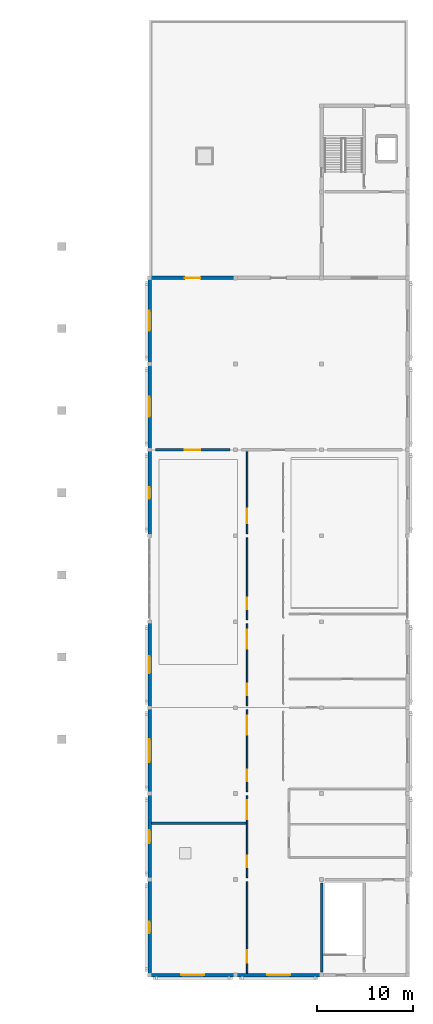
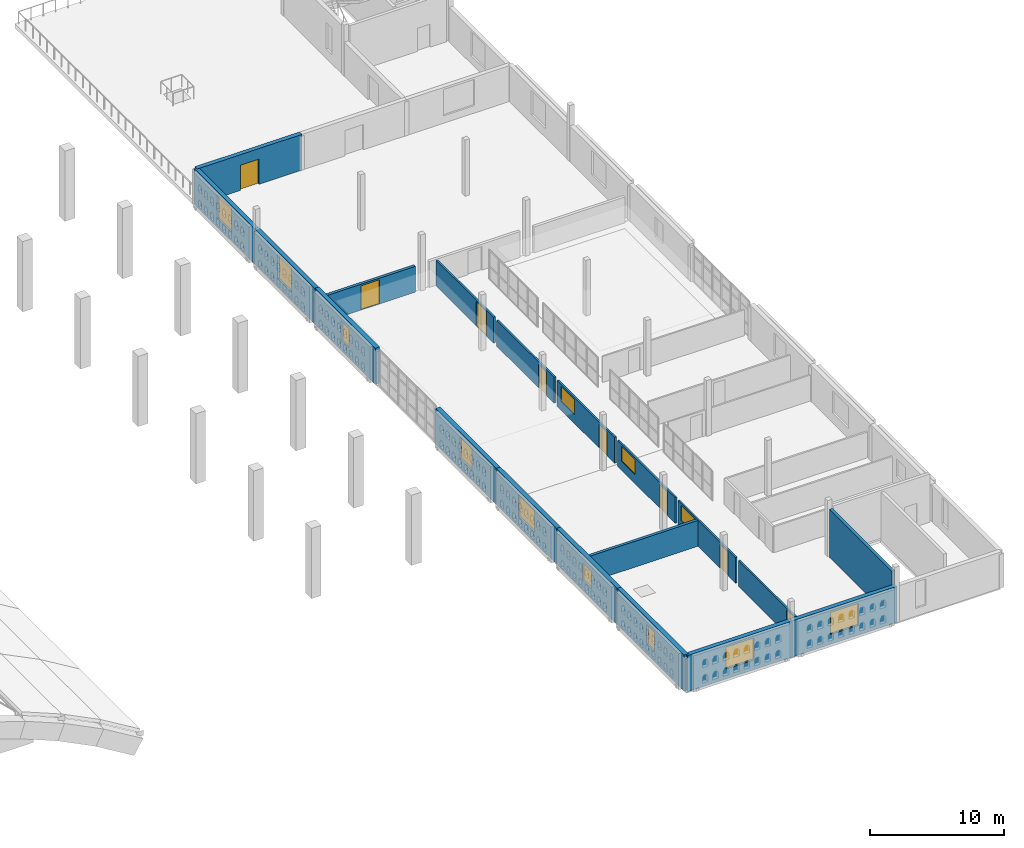
# One storey, part 23 of 30: 19 walls, 12 windows, 8 doors, 20 openings.
"""IFC4 building model written with IfcOpenShell, lengths in metres."""

from ifc_helpers import new_model, si_unit, direction, frame, frame_2d, origin, place, context, subcontext, project, spatial, rectangle, extrude, material, layer, layer_set, type_object, element, fill, save


model = new_model("IFC4")

# Units and contexts
model_context = context("Model", 3, precision=1e-05, world=origin(), true_north=direction((0.0, 1.0)))
body_context = subcontext(model_context, "Body", "Model", "MODEL_VIEW")
ifc_project = project(units=[si_unit("LENGTHUNIT", "METRE"), si_unit("AREAUNIT", "SQUARE_METRE"), si_unit("VOLUMEUNIT", "CUBIC_METRE"), si_unit("PLANEANGLEUNIT", "RADIAN"), si_unit("MASSUNIT", "GRAM", prefix="KILO")], contexts=[model_context])

# Site, building, storey
site_placement = place(None, origin())
site = spatial("IfcSite", under=ifc_project, at=site_placement, CompositionType="ELEMENT")
building_placement = place(site_placement, origin())
building = spatial("IfcBuilding", under=site, at=building_placement, Name="Ornek Quay Market", CompositionType="ELEMENT")
storey_placement = place(building_placement, frame((0.0, 0.0, 12.0)))
storey = spatial("IfcBuildingStorey", under=building, at=storey_placement, Name="L03", CompositionType="ELEMENT", Elevation=12.0)

# Wall
ifc_material_1 = material(Name="Concrete C40/50", Category="concrete")
ifc_layer_1 = layer(ifc_material_1, 0.260009765625, Name="Concrete C40/50", Category="concrete")
ifc_layer_set_1 = layer_set([ifc_layer_1], Name="Concrete C40/50")
wall_type_1 = type_object("IfcWallType", Name="WL-CORE-260", PredefinedType="SHEAR", material=ifc_layer_set_1)
wall_1_placement = place(storey_placement, frame((171.0, 10.35009765625, 0.0), z_axis=(0.0, 0.0, 1.0), x_axis=(0.0, 1.0, 0.0)))
element("IfcWall", 1, at=wall_1_placement, inside=storey, type_object=wall_type_1, Name="Interior wall W-CORE2-167", PredefinedType="SHEAR", context=body_context, shape_type="SweptSolid", body=[
    extrude(rectangle(XDim=9.2998046875, YDim=0.260009765625, at=frame_2d((4.64990234375, 0.0))), origin(), (0.0, 0.0, 1.0), 4.3701171875),
])

# Wall, opening, window
ifc_material_2 = material(Name="Frost-resistant facing clay brick M200 F100", Category="masonry")
ifc_layer_2 = layer(ifc_material_2, 0.3701171875, Name="Frost-resistant facing clay brick M200 F100", Category="masonry")
ifc_layer_set_2 = layer_set([ifc_layer_2], Name="Frost-resistant facing clay brick M200 F100")
wall_type_2 = type_object("IfcWallType", Name="WL-EXT-CS-370", PredefinedType="STANDARD", material=ifc_layer_set_2)
wall_2_placement = place(storey_placement, frame((153.0, 10.0, 0.0), z_axis=(0.0, 0.0, 1.0), x_axis=(0.0, 1.0, 0.0)))
wall_2 = element("IfcWall", 2, at=wall_2_placement, inside=storey, type_object=wall_type_2, Name="Exterior wall EW-227", PredefinedType="STANDARD", context=body_context, shape_type="SweptSolid", body=[
    extrude(rectangle(XDim=10.0, YDim=0.3701171875, at=frame_2d((5.0, 0.0))), origin(), (0.0, 0.0, 1.0), 3.280029296875),
])
opening_1_placement = place(wall_2_placement, frame((4.39990234375, 0.0, 0.89990234375)))
opening_1 = element("IfcOpeningElement", 3, at=opening_1_placement, cuts=wall_2, Name="Opening W-11-190", PredefinedType="OPENING", context=body_context, shape_type="SweptSolid", body=[
    extrude(rectangle(XDim=1.199951171875, YDim=1.800048828125, at=frame_2d((0.60009765625, 0.89990234375))), frame((0.0, 0.195068359375, 0.0), z_axis=(0.0, -1.0, 0.0), x_axis=(1.0, 0.0, 0.0)), (0.0, 0.0, 1.0), 0.39013671875),
])
ifc_material_3 = material(Name="Thermally broken bronze aluminium and triple low-e glass", Category="aluminium")
window_type_1 = type_object("IfcWindowType", Name="WN-CS-1200x1800", PartitioningType="SINGLE_PANEL", PredefinedType="WINDOW", material=ifc_material_3)
window_1_placement = place(opening_1_placement, origin())
window_1 = element("IfcWindow", 4, at=window_1_placement, inside=storey, type_object=window_type_1, Name="Window W-11-190", OverallHeight=1.800048828125, OverallWidth=1.199951171875, PartitioningType="SINGLE_PANEL", PredefinedType="WINDOW", context=body_context, shape_type="SweptSolid", body=[
    extrude(rectangle(XDim=1.199951171875, YDim=1.800048828125, at=frame_2d((0.60009765625, 0.89990234375))), frame((0.0, 0.030029296875, 0.0), z_axis=(0.0, -1.0, 0.0), x_axis=(1.0, 0.0, 0.0)), (0.0, 0.0, 1.0), 0.06005859375),
])
fill(opening_1, window_1)

wall_3_placement = place(storey_placement, frame((153.0, 20.0, 0.0), z_axis=(0.0, 0.0, 1.0), x_axis=(0.0, 1.0, 0.0)))
wall_3 = element("IfcWall", 5, at=wall_3_placement, inside=storey, type_object=wall_type_2, Name="Exterior wall EW-228", PredefinedType="STANDARD", context=body_context, shape_type="SweptSolid", body=[
    extrude(rectangle(XDim=9.0, YDim=0.3701171875, at=frame_2d((4.5, 0.0))), origin(), (0.0, 0.0, 1.0), 3.280029296875),
])
opening_2_placement = place(wall_3_placement, frame((3.824951171875, 0.0, 0.89990234375)))
opening_2 = element("IfcOpeningElement", 6, at=opening_2_placement, cuts=wall_3, Name="Opening W-16-191", PredefinedType="OPENING", context=body_context, shape_type="SweptSolid", body=[
    extrude(rectangle(XDim=1.35009765625, YDim=1.60009765625, at=frame_2d((0.675048828125, 0.800048828125))), frame((0.0, 0.195068359375, 0.0), z_axis=(0.0, -1.0, 0.0), x_axis=(1.0, 0.0, 0.0)), (0.0, 0.0, 1.0), 0.39013671875),
])
window_type_2 = type_object("IfcWindowType", Name="WN-OFF-1350x1600", PartitioningType="SINGLE_PANEL", PredefinedType="WINDOW", material=ifc_material_3)
window_2_placement = place(opening_2_placement, origin())
window_2 = element("IfcWindow", 7, at=window_2_placement, inside=storey, type_object=window_type_2, Name="Window W-16-191", OverallHeight=1.60009765625, OverallWidth=1.35009765625, PartitioningType="SINGLE_PANEL", PredefinedType="WINDOW", context=body_context, shape_type="SweptSolid", body=[
    extrude(rectangle(XDim=1.35009765625, YDim=1.60009765625, at=frame_2d((0.675048828125, 0.800048828125))), frame((0.0, 0.030029296875, 0.0), z_axis=(0.0, -1.0, 0.0), x_axis=(1.0, 0.0, 0.0)), (0.0, 0.0, 1.0), 0.06005859375),
])
fill(opening_2, window_2)

wall_4_placement = place(storey_placement, frame((153.0, 29.0, 0.0), z_axis=(0.0, 0.0, 1.0), x_axis=(0.0, 1.0, 0.0)))
wall_4 = element("IfcWall", 8, at=wall_4_placement, inside=storey, type_object=wall_type_2, Name="Exterior wall EW-229", PredefinedType="STANDARD", context=body_context, shape_type="SweptSolid", body=[
    extrude(rectangle(XDim=9.0, YDim=0.3701171875, at=frame_2d((4.5, 0.0))), origin(), (0.0, 0.0, 1.0), 3.280029296875),
])
opening_3_placement = place(wall_4_placement, frame((3.300048828125, 0.0, 0.89990234375)))
opening_3 = element("IfcOpeningElement", 9, at=opening_3_placement, cuts=wall_4, Name="Opening W-08-192", PredefinedType="OPENING", context=body_context, shape_type="SweptSolid", body=[
    extrude(rectangle(XDim=2.39990234375, YDim=2.0, at=frame_2d((1.199951171875, 1.0))), frame((0.0, 0.195068359375, 0.0), z_axis=(0.0, -1.0, 0.0), x_axis=(1.0, 0.0, 0.0)), (0.0, 0.0, 1.0), 0.39013671875),
])
window_type_3 = type_object("IfcWindowType", Name="WN-CS-2400x2000", PartitioningType="DOUBLE_PANEL_VERTICAL", PredefinedType="WINDOW", material=ifc_material_3)
window_3_placement = place(opening_3_placement, origin())
window_3 = element("IfcWindow", 10, at=window_3_placement, inside=storey, type_object=window_type_3, Name="Window W-08-192", OverallHeight=2.0, OverallWidth=2.39990234375, PartitioningType="SINGLE_PANEL", PredefinedType="WINDOW", context=body_context, shape_type="SweptSolid", body=[
    extrude(rectangle(XDim=2.39990234375, YDim=2.0, at=frame_2d((1.199951171875, 1.0))), frame((0.0, 0.030029296875, 0.0), z_axis=(0.0, -1.0, 0.0), x_axis=(1.0, 0.0, 0.0)), (0.0, 0.0, 1.0), 0.06005859375),
])
fill(opening_3, window_3)

wall_5_placement = place(storey_placement, frame((153.0, 38.0, 0.0), z_axis=(0.0, 0.0, 1.0), x_axis=(0.0, 1.0, 0.0)))
wall_5 = element("IfcWall", 11, at=wall_5_placement, inside=storey, type_object=wall_type_2, Name="Exterior wall EW-230", PredefinedType="STANDARD", context=body_context, shape_type="SweptSolid", body=[
    extrude(rectangle(XDim=9.0, YDim=0.3701171875, at=frame_2d((4.5, 0.0))), origin(), (0.0, 0.0, 1.0), 3.280029296875),
])
opening_4_placement = place(wall_5_placement, frame((3.60009765625, 0.0, 0.89990234375)))
opening_4 = element("IfcOpeningElement", 12, at=opening_4_placement, cuts=wall_5, Name="Opening W-09-193", PredefinedType="OPENING", context=body_context, shape_type="SweptSolid", body=[
    extrude(rectangle(XDim=1.800048828125, YDim=2.0, at=frame_2d((0.89990234375, 1.0))), frame((0.0, 0.195068359375, 0.0), z_axis=(0.0, -1.0, 0.0), x_axis=(1.0, 0.0, 0.0)), (0.0, 0.0, 1.0), 0.39013671875),
])
window_type_4 = type_object("IfcWindowType", Name="WN-CS-1800x2000", PartitioningType="DOUBLE_PANEL_VERTICAL", PredefinedType="WINDOW", material=ifc_material_3)
window_4_placement = place(opening_4_placement, origin())
window_4 = element("IfcWindow", 13, at=window_4_placement, inside=storey, type_object=window_type_4, Name="Window W-09-193", OverallHeight=2.0, OverallWidth=1.800048828125, PartitioningType="SINGLE_PANEL", PredefinedType="WINDOW", context=body_context, shape_type="SweptSolid", body=[
    extrude(rectangle(XDim=1.800048828125, YDim=2.0, at=frame_2d((0.89990234375, 1.0))), frame((0.0, 0.030029296875, 0.0), z_axis=(0.0, -1.0, 0.0), x_axis=(1.0, 0.0, 0.0)), (0.0, 0.0, 1.0), 0.06005859375),
])
fill(opening_4, window_4)

wall_6_placement = place(storey_placement, frame((153.0, 56.0, 0.0), z_axis=(0.0, 0.0, 1.0), x_axis=(0.0, 1.0, 0.0)))
wall_6 = element("IfcWall", 14, at=wall_6_placement, inside=storey, type_object=wall_type_2, Name="Exterior wall EW-231", PredefinedType="STANDARD", context=body_context, shape_type="SweptSolid", body=[
    extrude(rectangle(XDim=9.0, YDim=0.3701171875, at=frame_2d((4.5, 0.0))), origin(), (0.0, 0.0, 1.0), 3.280029296875),
])
opening_5_placement = place(wall_6_placement, frame((3.89990234375, 0.0, 0.89990234375)))
opening_5 = element("IfcOpeningElement", 15, at=opening_5_placement, cuts=wall_6, Name="Opening W-11-194", PredefinedType="OPENING", context=body_context, shape_type="SweptSolid", body=[
    extrude(rectangle(XDim=1.199951171875, YDim=1.800048828125, at=frame_2d((0.60009765625, 0.89990234375))), frame((0.0, 0.195068359375, 0.0), z_axis=(0.0, -1.0, 0.0), x_axis=(1.0, 0.0, 0.0)), (0.0, 0.0, 1.0), 0.39013671875),
])
window_5_placement = place(opening_5_placement, origin())
window_5 = element("IfcWindow", 16, at=window_5_placement, inside=storey, type_object=window_type_1, Name="Window W-11-194", OverallHeight=1.800048828125, OverallWidth=1.199951171875, PartitioningType="SINGLE_PANEL", PredefinedType="WINDOW", context=body_context, shape_type="SweptSolid", body=[
    extrude(rectangle(XDim=1.199951171875, YDim=1.800048828125, at=frame_2d((0.60009765625, 0.89990234375))), frame((0.0, 0.030029296875, 0.0), z_axis=(0.0, -1.0, 0.0), x_axis=(1.0, 0.0, 0.0)), (0.0, 0.0, 1.0), 0.06005859375),
])
fill(opening_5, window_5)

wall_7_placement = place(storey_placement, frame((153.0, 10.0, 0.0), z_axis=(0.0, 0.0, 1.0), x_axis=(1.0, 0.0, 0.0)))
wall_7 = element("IfcWall", 17, at=wall_7_placement, inside=storey, type_object=wall_type_2, Name="Exterior wall EW-237", PredefinedType="STANDARD", context=body_context, shape_type="SweptSolid", body=[
    extrude(rectangle(XDim=9.0, YDim=0.3701171875, at=frame_2d((4.5, 0.0))), origin(), (0.0, 0.0, 1.0), 3.280029296875),
])
opening_6_placement = place(wall_7_placement, frame((3.300048828125, 0.0, 0.89990234375)))
opening_6 = element("IfcOpeningElement", 18, at=opening_6_placement, cuts=wall_7, Name="Opening W-08-200", PredefinedType="OPENING", context=body_context, shape_type="SweptSolid", body=[
    extrude(rectangle(XDim=2.39990234375, YDim=2.0, at=frame_2d((1.199951171875, 1.0))), frame((0.0, 0.195068359375, 0.0), z_axis=(0.0, -1.0, 0.0), x_axis=(1.0, 0.0, 0.0)), (0.0, 0.0, 1.0), 0.39013671875),
])
window_6_placement = place(opening_6_placement, origin())
window_6 = element("IfcWindow", 19, at=window_6_placement, inside=storey, type_object=window_type_3, Name="Window W-08-200", OverallHeight=2.0, OverallWidth=2.39990234375, PartitioningType="SINGLE_PANEL", PredefinedType="WINDOW", context=body_context, shape_type="SweptSolid", body=[
    extrude(rectangle(XDim=2.39990234375, YDim=2.0, at=frame_2d((1.199951171875, 1.0))), frame((0.0, 0.030029296875, 0.0), z_axis=(0.0, -1.0, 0.0), x_axis=(1.0, 0.0, 0.0)), (0.0, 0.0, 1.0), 0.06005859375),
])
fill(opening_6, window_6)

wall_8_placement = place(storey_placement, frame((162.0, 10.0, 0.0), z_axis=(0.0, 0.0, 1.0), x_axis=(1.0, 0.0, 0.0)))
wall_8 = element("IfcWall", 20, at=wall_8_placement, inside=storey, type_object=wall_type_2, Name="Exterior wall EW-238", PredefinedType="STANDARD", context=body_context, shape_type="SweptSolid", body=[
    extrude(rectangle(XDim=9.0, YDim=0.3701171875, at=frame_2d((4.5, 0.0))), origin(), (0.0, 0.0, 1.0), 3.280029296875),
])
opening_7_placement = place(wall_8_placement, frame((3.300048828125, 0.0, 0.89990234375)))
opening_7 = element("IfcOpeningElement", 21, at=opening_7_placement, cuts=wall_8, Name="Opening W-08-201", PredefinedType="OPENING", context=body_context, shape_type="SweptSolid", body=[
    extrude(rectangle(XDim=2.39990234375, YDim=2.0, at=frame_2d((1.199951171875, 1.0))), frame((0.0, 0.195068359375, 0.0), z_axis=(0.0, -1.0, 0.0), x_axis=(1.0, 0.0, 0.0)), (0.0, 0.0, 1.0), 0.39013671875),
])
window_7_placement = place(opening_7_placement, origin())
window_7 = element("IfcWindow", 22, at=window_7_placement, inside=storey, type_object=window_type_3, Name="Window W-08-201", OverallHeight=2.0, OverallWidth=2.39990234375, PartitioningType="SINGLE_PANEL", PredefinedType="WINDOW", context=body_context, shape_type="SweptSolid", body=[
    extrude(rectangle(XDim=2.39990234375, YDim=2.0, at=frame_2d((1.199951171875, 1.0))), frame((0.0, 0.030029296875, 0.0), z_axis=(0.0, -1.0, 0.0), x_axis=(1.0, 0.0, 0.0)), (0.0, 0.0, 1.0), 0.06005859375),
])
fill(opening_7, window_7)

# Wall, opening, door
ifc_layer_3 = layer(ifc_material_2, 0.360107421875, Name="Frost-resistant facing clay brick M200 F100", Category="masonry")
ifc_layer_set_3 = layer_set([ifc_layer_3], Name="Frost-resistant facing clay brick M200 F100")
wall_type_3 = type_object("IfcWallType", Name="WL-EXT-FC-360", PredefinedType="STANDARD", material=ifc_layer_set_3)
wall_9_placement = place(storey_placement, frame((153.0, 83.0, 0.0), z_axis=(0.0, 0.0, 1.0), x_axis=(1.0, 0.0, 0.0)))
wall_9 = element("IfcWall", 23, at=wall_9_placement, inside=storey, type_object=wall_type_3, Name="Exterior wall EW-170", PredefinedType="STANDARD", context=body_context, shape_type="SweptSolid", body=[
    extrude(rectangle(XDim=9.0, YDim=0.360107421875, at=frame_2d((4.5, 0.0))), origin(), (0.0, 0.0, 1.0), 3.25),
])
opening_8_placement = place(wall_9_placement, frame((3.699951171875, 0.0, 0.0)))
opening_8 = element("IfcOpeningElement", 24, at=opening_8_placement, cuts=wall_9, Name="Opening ED-04-040", PredefinedType="OPENING", context=body_context, shape_type="SweptSolid", body=[
    extrude(rectangle(XDim=1.60009765625, YDim=2.300048828125, at=frame_2d((0.800048828125, 1.14990234375))), frame((0.0, 0.18994140625, 0.0), z_axis=(0.0, -1.0, 0.0), x_axis=(1.0, 0.0, 0.0)), (0.0, 0.0, 1.0), 0.380126953125),
])
ifc_material_4 = material(Name="Anodised bronze aluminium and triple glass", Category="aluminium")
door_type_1 = type_object("IfcDoorType", Name="DR-EXT-TER-1600x2300", OperationType="DOUBLE_DOOR_SINGLE_SWING", PredefinedType="DOOR", material=ifc_material_4)
door_1_placement = place(opening_8_placement, origin())
door_1 = element("IfcDoor", 25, at=door_1_placement, inside=storey, type_object=door_type_1, Name="Exterior door ED-04-040", OperationType="DOUBLE_DOOR_SINGLE_SWING", OverallHeight=2.300048828125, OverallWidth=1.60009765625, PredefinedType="DOOR", context=body_context, shape_type="SweptSolid", body=[
    extrude(rectangle(XDim=1.60009765625, YDim=2.300048828125, at=frame_2d((0.800048828125, 1.14990234375))), frame((0.0, 0.02490234375, 0.0), z_axis=(0.0, -1.0, 0.0), x_axis=(1.0, 0.0, 0.0)), (0.0, 0.0, 1.0), 0.050048828125),
])
fill(opening_8, door_1)

# Wall, opening, window
wall_10_placement = place(storey_placement, frame((153.0, 65.0, 0.0), z_axis=(0.0, 0.0, 1.0), x_axis=(0.0, 1.0, 0.0)))
wall_10 = element("IfcWall", 26, at=wall_10_placement, inside=storey, type_object=wall_type_3, Name="Exterior wall EW-173", PredefinedType="STANDARD", context=body_context, shape_type="SweptSolid", body=[
    extrude(rectangle(XDim=9.0, YDim=0.360107421875, at=frame_2d((4.5, 0.0))), origin(), (0.0, 0.0, 1.0), 3.25),
])
opening_9_placement = place(wall_10_placement, frame((3.449951171875, 0.0, 0.800048828125)))
opening_9 = element("IfcOpeningElement", 27, at=opening_9_placement, cuts=wall_10, Name="Opening W-06-143", PredefinedType="OPENING", context=body_context, shape_type="SweptSolid", body=[
    extrude(rectangle(XDim=2.10009765625, YDim=2.199951171875, at=frame_2d((1.050048828125, 1.10009765625))), frame((0.0, 0.18994140625, 0.0), z_axis=(0.0, -1.0, 0.0), x_axis=(1.0, 0.0, 0.0)), (0.0, 0.0, 1.0), 0.380126953125),
])
window_type_5 = type_object("IfcWindowType", Name="WN-FC-2100x2200", PartitioningType="DOUBLE_PANEL_VERTICAL", PredefinedType="WINDOW", material=ifc_material_3)
window_8_placement = place(opening_9_placement, origin())
window_8 = element("IfcWindow", 28, at=window_8_placement, inside=storey, type_object=window_type_5, Name="Window W-06-143", OverallHeight=2.199951171875, OverallWidth=2.10009765625, PartitioningType="SINGLE_PANEL", PredefinedType="WINDOW", context=body_context, shape_type="SweptSolid", body=[
    extrude(rectangle(XDim=2.10009765625, YDim=2.199951171875, at=frame_2d((1.050048828125, 1.10009765625))), frame((0.0, 0.030029296875, 0.0), z_axis=(0.0, -1.0, 0.0), x_axis=(1.0, 0.0, 0.0)), (0.0, 0.0, 1.0), 0.06005859375),
])
fill(opening_9, window_8)

wall_11_placement = place(storey_placement, frame((153.0, 74.0, 0.0), z_axis=(0.0, 0.0, 1.0), x_axis=(0.0, 1.0, 0.0)))
wall_11 = element("IfcWall", 29, at=wall_11_placement, inside=storey, type_object=wall_type_3, Name="Exterior wall EW-175", PredefinedType="STANDARD", context=body_context, shape_type="SweptSolid", body=[
    extrude(rectangle(XDim=9.0, YDim=0.360107421875, at=frame_2d((4.5, 0.0))), origin(), (0.0, 0.0, 1.0), 3.25),
])
opening_10_placement = place(wall_11_placement, frame((3.449951171875, 0.0, 0.800048828125)))
opening_10 = element("IfcOpeningElement", 30, at=opening_10_placement, cuts=wall_11, Name="Opening W-06-145", PredefinedType="OPENING", context=body_context, shape_type="SweptSolid", body=[
    extrude(rectangle(XDim=2.10009765625, YDim=2.199951171875, at=frame_2d((1.050048828125, 1.10009765625))), frame((0.0, 0.18994140625, 0.0), z_axis=(0.0, -1.0, 0.0), x_axis=(1.0, 0.0, 0.0)), (0.0, 0.0, 1.0), 0.380126953125),
])
window_9_placement = place(opening_10_placement, origin())
window_9 = element("IfcWindow", 31, at=window_9_placement, inside=storey, type_object=window_type_5, Name="Window W-06-145", OverallHeight=2.199951171875, OverallWidth=2.10009765625, PartitioningType="SINGLE_PANEL", PredefinedType="WINDOW", context=body_context, shape_type="SweptSolid", body=[
    extrude(rectangle(XDim=2.10009765625, YDim=2.199951171875, at=frame_2d((1.050048828125, 1.10009765625))), frame((0.0, 0.030029296875, 0.0), z_axis=(0.0, -1.0, 0.0), x_axis=(1.0, 0.0, 0.0)), (0.0, 0.0, 1.0), 0.06005859375),
])
fill(opening_10, window_9)

# Wall, opening, door
ifc_material_5 = material(Name="Concrete C35/45", Category="concrete")
ifc_layer_4 = layer(ifc_material_5, 0.239990234375, Name="Concrete C35/45", Category="concrete")
ifc_layer_set_4 = layer_set([ifc_layer_4], Name="Concrete C35/45")
wall_type_4 = type_object("IfcWallType", Name="WL-FIRE-240", PredefinedType="SOLIDWALL", material=ifc_layer_set_4)
wall_12_placement = place(storey_placement, frame((153.60009765625, 65.0, 0.0), z_axis=(0.0, 0.0, 1.0), x_axis=(1.0, 0.0, 0.0)))
wall_12 = element("IfcWall", 32, at=wall_12_placement, inside=storey, type_object=wall_type_4, Name="Interior wall W-FIRE2-342", PredefinedType="SOLIDWALL", context=body_context, shape_type="SweptSolid", body=[
    extrude(rectangle(XDim=7.7998046875, YDim=0.239990234375, at=frame_2d((3.89990234375, 0.0))), origin(), (0.0, 0.0, 1.0), 2.35009765625),
])
opening_11_placement = place(wall_12_placement, frame((3.10009765625, 0.0, 0.0)))
opening_11 = element("IfcOpeningElement", 33, at=opening_11_placement, cuts=wall_12, Name="Opening FD-02-166", PredefinedType="OPENING", context=body_context, shape_type="SweptSolid", body=[
    extrude(rectangle(XDim=1.60009765625, YDim=2.199951171875, at=frame_2d((0.800048828125, 1.10009765625))), frame((0.0, 0.1298828125, 0.0), z_axis=(0.0, -1.0, 0.0), x_axis=(1.0, 0.0, 0.0)), (0.0, 0.0, 1.0), 0.260009765625),
])
ifc_material_6 = material(Name="Insulated fire-rated painted steel", Category="steel")
door_type_2 = type_object("IfcDoorType", Name="DR-FIRE-DBL-1600x2200", OperationType="DOUBLE_DOOR_SINGLE_SWING", PredefinedType="DOOR", material=ifc_material_6)
door_2_placement = place(opening_11_placement, origin())
door_2 = element("IfcDoor", 34, at=door_2_placement, inside=storey, type_object=door_type_2, Name="Interior door FD-02-166", OperationType="DOUBLE_DOOR_SINGLE_SWING", OverallHeight=2.199951171875, OverallWidth=1.60009765625, PredefinedType="DOOR", context=body_context, shape_type="SweptSolid", body=[
    extrude(rectangle(XDim=1.60009765625, YDim=2.199951171875, at=frame_2d((0.800048828125, 1.10009765625))), frame((0.0, 0.02490234375, 0.0), z_axis=(0.0, -1.0, 0.0), x_axis=(1.0, 0.0, 0.0)), (0.0, 0.0, 1.0), 0.050048828125),
])
fill(opening_11, door_2)

# Wall
wall_13_placement = place(storey_placement, frame((153.199951171875, 25.89990234375, 0.0), z_axis=(0.0, 0.0, 1.0), x_axis=(1.0, 0.0, 0.0)))
element("IfcWall", 35, at=wall_13_placement, inside=storey, type_object=wall_type_4, Name="Interior wall W-FIRE2-399", PredefinedType="SOLIDWALL", context=body_context, shape_type="SweptSolid", body=[
    extrude(rectangle(XDim=10.0, YDim=0.239990234375, at=frame_2d((5.0, 0.0))), origin(), (0.0, 0.0, 1.0), 2.35009765625),
])

# Wall, openings, door, window
ifc_material_7 = material(Name="Ceramic-tiled masonry partition", Category="masonry")
ifc_layer_5 = layer(ifc_material_7, 0.159912109375, Name="Ceramic-tiled masonry partition", Category="masonry")
ifc_layer_set_5 = layer_set([ifc_layer_5], Name="Ceramic-tiled masonry partition")
wall_type_5 = type_object("IfcWallType", Name="WL-KIT-160", PredefinedType="PARTITIONING", material=ifc_layer_set_5)
wall_14_placement = place(storey_placement, frame((163.199951171875, 38.219970703125, 0.0), z_axis=(0.0, 0.0, 1.0), x_axis=(0.0, 1.0, 0.0)))
wall_14 = element("IfcWall", 36, at=wall_14_placement, inside=storey, type_object=wall_type_5, Name="Interior wall W-INT2-348", PredefinedType="PARTITIONING", context=body_context, shape_type="SweptSolid", body=[
    extrude(rectangle(XDim=8.56005859375, YDim=0.159912109375, at=frame_2d((4.280029296875, 0.0))), origin(), (0.0, 0.0, 1.0), 2.35009765625),
])
opening_12_placement = place(wall_14_placement, frame((1.10009765625, 0.0, 0.0)))
opening_12 = element("IfcOpeningElement", 37, at=opening_12_placement, cuts=wall_14, Name="Opening ID-02-171", PredefinedType="OPENING", context=body_context, shape_type="SweptSolid", body=[
    extrude(rectangle(XDim=1.199951171875, YDim=2.14990234375, at=frame_2d((0.60009765625, 1.074951171875))), frame((0.0, 0.08984375, 0.0), z_axis=(0.0, -1.0, 0.0), x_axis=(1.0, 0.0, 0.0)), (0.0, 0.0, 1.0), 0.179931640625),
])
opening_13_placement = place(wall_14_placement, frame((5.9599609375, 0.0, 0.820068359375)))
opening_13 = element("IfcOpeningElement", 38, at=opening_13_placement, cuts=wall_14, Name="Opening W-19-L03-38", PredefinedType="OPENING", context=body_context, shape_type="SweptSolid", body=[
    extrude(rectangle(XDim=2.0, YDim=1.35009765625, at=frame_2d((1.0, 0.675048828125))), frame((0.0, 0.08984375, 0.0), z_axis=(0.0, -1.0, 0.0), x_axis=(1.0, 0.0, 0.0)), (0.0, 0.0, 1.0), 0.179931640625),
])
ifc_material_8 = material(Name="Acoustic solid oak door", Category="other")
door_type_3 = type_object("IfcDoorType", Name="DR-INT-STUDIO-1200x2150", OperationType="NOTDEFINED", PredefinedType="DOOR", material=ifc_material_8)
door_3_placement = place(opening_12_placement, origin())
door_3 = element("IfcDoor", 39, at=door_3_placement, inside=storey, type_object=door_type_3, Name="Interior door ID-02-171", OperationType="SINGLE_SWING_RIGHT", OverallHeight=2.14990234375, OverallWidth=1.199951171875, PredefinedType="DOOR", context=body_context, shape_type="SweptSolid", body=[
    extrude(rectangle(XDim=1.199951171875, YDim=2.14990234375, at=frame_2d((0.60009765625, 1.074951171875))), frame((0.0, 0.02490234375, 0.0), z_axis=(0.0, -1.0, 0.0), x_axis=(1.0, 0.0, 0.0)), (0.0, 0.0, 1.0), 0.050048828125),
])
fill(opening_12, door_3)
window_type_6 = type_object("IfcWindowType", Name="WN-INT-2000x1500", PartitioningType="DOUBLE_PANEL_VERTICAL", PredefinedType="WINDOW", material=ifc_material_3)
window_10_placement = place(opening_13_placement, origin())
window_10 = element("IfcWindow", 40, at=window_10_placement, inside=storey, type_object=window_type_6, Name="Teaching kitchen observation window L03-38", OverallHeight=1.35009765625, OverallWidth=2.0, PartitioningType="SINGLE_PANEL", PredefinedType="WINDOW", context=body_context, shape_type="SweptSolid", body=[
    extrude(rectangle(XDim=2.0, YDim=1.35009765625, at=frame_2d((1.0, 0.675048828125))), frame((0.0, 0.030029296875, 0.0), z_axis=(0.0, -1.0, 0.0), x_axis=(1.0, 0.0, 0.0)), (0.0, 0.0, 1.0), 0.06005859375),
])
fill(opening_13, window_10)

# Wall, opening, door
wall_15_placement = place(storey_placement, frame((163.199951171875, 47.219970703125, 0.0), z_axis=(0.0, 0.0, 1.0), x_axis=(0.0, 1.0, 0.0)))
wall_15 = element("IfcWall", 41, at=wall_15_placement, inside=storey, type_object=wall_type_5, Name="Interior wall W-INT2-349", PredefinedType="PARTITIONING", context=body_context, shape_type="SweptSolid", body=[
    extrude(rectangle(XDim=8.56005859375, YDim=0.159912109375, at=frame_2d((4.280029296875, 0.0))), origin(), (0.0, 0.0, 1.0), 2.35009765625),
])
opening_14_placement = place(wall_15_placement, frame((1.10009765625, 0.0, 0.0)))
opening_14 = element("IfcOpeningElement", 42, at=opening_14_placement, cuts=wall_15, Name="Opening ID-02-172", PredefinedType="OPENING", context=body_context, shape_type="SweptSolid", body=[
    extrude(rectangle(XDim=1.199951171875, YDim=2.14990234375, at=frame_2d((0.60009765625, 1.074951171875))), frame((0.0, 0.08984375, 0.0), z_axis=(0.0, -1.0, 0.0), x_axis=(1.0, 0.0, 0.0)), (0.0, 0.0, 1.0), 0.179931640625),
])
door_4_placement = place(opening_14_placement, origin())
door_4 = element("IfcDoor", 43, at=door_4_placement, inside=storey, type_object=door_type_3, Name="Interior door ID-02-172", OperationType="SINGLE_SWING_LEFT", OverallHeight=2.14990234375, OverallWidth=1.199951171875, PredefinedType="DOOR", context=body_context, shape_type="SweptSolid", body=[
    extrude(rectangle(XDim=1.199951171875, YDim=2.14990234375, at=frame_2d((0.60009765625, 1.074951171875))), frame((0.0, 0.02490234375, 0.0), z_axis=(0.0, -1.0, 0.0), x_axis=(1.0, 0.0, 0.0)), (0.0, 0.0, 1.0), 0.050048828125),
])
fill(opening_14, door_4)

wall_16_placement = place(storey_placement, frame((163.199951171875, 56.219970703125, 0.0), z_axis=(0.0, 0.0, 1.0), x_axis=(0.0, 1.0, 0.0)))
wall_16 = element("IfcWall", 44, at=wall_16_placement, inside=storey, type_object=wall_type_5, Name="Interior wall W-INT2-350", PredefinedType="PARTITIONING", context=body_context, shape_type="SweptSolid", body=[
    extrude(rectangle(XDim=8.56005859375, YDim=0.159912109375, at=frame_2d((4.280029296875, 0.0))), origin(), (0.0, 0.0, 1.0), 2.35009765625),
])
opening_15_placement = place(wall_16_placement, frame((1.10009765625, 0.0, 0.0)))
opening_15 = element("IfcOpeningElement", 45, at=opening_15_placement, cuts=wall_16, Name="Opening ID-01-173", PredefinedType="OPENING", context=body_context, shape_type="SweptSolid", body=[
    extrude(rectangle(XDim=1.5, YDim=2.199951171875, at=frame_2d((0.75, 1.10009765625))), frame((0.0, 0.08984375, 0.0), z_axis=(0.0, -1.0, 0.0), x_axis=(1.0, 0.0, 0.0)), (0.0, 0.0, 1.0), 0.179931640625),
])
ifc_material_9 = material(Name="Solid oak and laminated glass door", Category="glass")
door_type_4 = type_object("IfcDoorType", Name="DR-INT-SHOP-1500x2250", OperationType="DOUBLE_DOOR_SINGLE_SWING", PredefinedType="DOOR", material=ifc_material_9)
door_5_placement = place(opening_15_placement, origin())
door_5 = element("IfcDoor", 46, at=door_5_placement, inside=storey, type_object=door_type_4, Name="Interior door ID-01-173", OperationType="DOUBLE_DOOR_SINGLE_SWING", OverallHeight=2.199951171875, OverallWidth=1.5, PredefinedType="DOOR", context=body_context, shape_type="SweptSolid", body=[
    extrude(rectangle(XDim=1.5, YDim=2.199951171875, at=frame_2d((0.75, 1.10009765625))), frame((0.0, 0.02490234375, 0.0), z_axis=(0.0, -1.0, 0.0), x_axis=(1.0, 0.0, 0.0)), (0.0, 0.0, 1.0), 0.050048828125),
])
fill(opening_15, door_5)

ifc_material_10 = material(Name="Acoustic twin-stud gypsum partition", Category="other")
ifc_layer_6 = layer(ifc_material_10, 0.14990234375, Name="Acoustic twin-stud gypsum partition", Category="other")
ifc_layer_set_6 = layer_set([ifc_layer_6], Name="Acoustic twin-stud gypsum partition")
wall_type_6 = type_object("IfcWallType", Name="WL-STUDIO-150", PredefinedType="PARTITIONING", material=ifc_layer_set_6)
wall_17_placement = place(storey_placement, frame((163.199951171875, 10.219970703125, 0.0), z_axis=(0.0, 0.0, 1.0), x_axis=(0.0, 1.0, 0.0)))
wall_17 = element("IfcWall", 47, at=wall_17_placement, inside=storey, type_object=wall_type_6, Name="Interior wall W-INT3-345", PredefinedType="PARTITIONING", context=body_context, shape_type="SweptSolid", body=[
    extrude(rectangle(XDim=9.56005859375, YDim=0.14990234375, at=frame_2d((4.780029296875, 0.0))), origin(), (0.0, 0.0, 1.0), 2.35009765625),
])
opening_16_placement = place(wall_17_placement, frame((1.10009765625, 0.0, 0.0)))
opening_16 = element("IfcOpeningElement", 48, at=opening_16_placement, cuts=wall_17, Name="Opening FD-05-168", PredefinedType="OPENING", context=body_context, shape_type="SweptSolid", body=[
    extrude(rectangle(XDim=1.300048828125, YDim=2.199951171875, at=frame_2d((0.64990234375, 1.10009765625))), frame((0.0, 0.0849609375, 0.0), z_axis=(0.0, -1.0, 0.0), x_axis=(1.0, 0.0, 0.0)), (0.0, 0.0, 1.0), 0.169921875),
])
door_type_5 = type_object("IfcDoorType", Name="DR-FIRE-PLANT-1300x2200", OperationType="NOTDEFINED", PredefinedType="DOOR", material=ifc_material_6)
door_6_placement = place(opening_16_placement, origin())
door_6 = element("IfcDoor", 49, at=door_6_placement, inside=storey, type_object=door_type_5, Name="Interior door FD-05-168", OperationType="SINGLE_SWING_LEFT", OverallHeight=2.199951171875, OverallWidth=1.300048828125, PredefinedType="DOOR", context=body_context, shape_type="SweptSolid", body=[
    extrude(rectangle(XDim=1.300048828125, YDim=2.199951171875, at=frame_2d((0.64990234375, 1.10009765625))), frame((0.0, 0.02490234375, 0.0), z_axis=(0.0, -1.0, 0.0), x_axis=(1.0, 0.0, 0.0)), (0.0, 0.0, 1.0), 0.050048828125),
])
fill(opening_16, door_6)

# Wall, openings, door, window
wall_18_placement = place(storey_placement, frame((163.199951171875, 20.219970703125, 0.0), z_axis=(0.0, 0.0, 1.0), x_axis=(0.0, 1.0, 0.0)))
wall_18 = element("IfcWall", 50, at=wall_18_placement, inside=storey, type_object=wall_type_6, Name="Interior wall W-INT3-346", PredefinedType="PARTITIONING", context=body_context, shape_type="SweptSolid", body=[
    extrude(rectangle(XDim=8.56005859375, YDim=0.14990234375, at=frame_2d((4.280029296875, 0.0))), origin(), (0.0, 0.0, 1.0), 2.35009765625),
])
opening_17_placement = place(wall_18_placement, frame((1.10009765625, 0.0, 0.0)))
opening_17 = element("IfcOpeningElement", 51, at=opening_17_placement, cuts=wall_18, Name="Opening ID-02-169", PredefinedType="OPENING", context=body_context, shape_type="SweptSolid", body=[
    extrude(rectangle(XDim=1.199951171875, YDim=2.14990234375, at=frame_2d((0.60009765625, 1.074951171875))), frame((0.0, 0.0849609375, 0.0), z_axis=(0.0, -1.0, 0.0), x_axis=(1.0, 0.0, 0.0)), (0.0, 0.0, 1.0), 0.169921875),
])
opening_18_placement = place(wall_18_placement, frame((6.110107421875, 0.0, 0.820068359375)))
opening_18 = element("IfcOpeningElement", 52, at=opening_18_placement, cuts=wall_18, Name="Opening W-19-L03-20", PredefinedType="OPENING", context=body_context, shape_type="SweptSolid", body=[
    extrude(rectangle(XDim=2.0, YDim=1.35009765625, at=frame_2d((1.0, 0.675048828125))), frame((0.0, 0.0849609375, 0.0), z_axis=(0.0, -1.0, 0.0), x_axis=(1.0, 0.0, 0.0)), (0.0, 0.0, 1.0), 0.169921875),
])
door_7_placement = place(opening_17_placement, origin())
door_7 = element("IfcDoor", 53, at=door_7_placement, inside=storey, type_object=door_type_3, Name="Interior door ID-02-169", OperationType="SINGLE_SWING_RIGHT", OverallHeight=2.14990234375, OverallWidth=1.199951171875, PredefinedType="DOOR", context=body_context, shape_type="SweptSolid", body=[
    extrude(rectangle(XDim=1.199951171875, YDim=2.14990234375, at=frame_2d((0.60009765625, 1.074951171875))), frame((0.0, 0.02490234375, 0.0), z_axis=(0.0, -1.0, 0.0), x_axis=(1.0, 0.0, 0.0)), (0.0, 0.0, 1.0), 0.050048828125),
])
fill(opening_17, door_7)
window_11_placement = place(opening_18_placement, origin())
window_11 = element("IfcWindow", 54, at=window_11_placement, inside=storey, type_object=window_type_6, Name="Teaching kitchen observation window L03-20", OverallHeight=1.35009765625, OverallWidth=2.0, PartitioningType="SINGLE_PANEL", PredefinedType="WINDOW", context=body_context, shape_type="SweptSolid", body=[
    extrude(rectangle(XDim=2.0, YDim=1.35009765625, at=frame_2d((1.0, 0.675048828125))), frame((0.0, 0.030029296875, 0.0), z_axis=(0.0, -1.0, 0.0), x_axis=(1.0, 0.0, 0.0)), (0.0, 0.0, 1.0), 0.06005859375),
])
fill(opening_18, window_11)

wall_19_placement = place(storey_placement, frame((163.199951171875, 29.219970703125, 0.0), z_axis=(0.0, 0.0, 1.0), x_axis=(0.0, 1.0, 0.0)))
wall_19 = element("IfcWall", 55, at=wall_19_placement, inside=storey, type_object=wall_type_6, Name="Interior wall W-INT3-347", PredefinedType="PARTITIONING", context=body_context, shape_type="SweptSolid", body=[
    extrude(rectangle(XDim=8.56005859375, YDim=0.14990234375, at=frame_2d((4.280029296875, 0.0))), origin(), (0.0, 0.0, 1.0), 2.35009765625),
])
opening_19_placement = place(wall_19_placement, frame((1.10009765625, 0.0, 0.0)))
opening_19 = element("IfcOpeningElement", 56, at=opening_19_placement, cuts=wall_19, Name="Opening ID-02-170", PredefinedType="OPENING", context=body_context, shape_type="SweptSolid", body=[
    extrude(rectangle(XDim=1.199951171875, YDim=2.14990234375, at=frame_2d((0.60009765625, 1.074951171875))), frame((0.0, 0.0849609375, 0.0), z_axis=(0.0, -1.0, 0.0), x_axis=(1.0, 0.0, 0.0)), (0.0, 0.0, 1.0), 0.169921875),
])
opening_20_placement = place(wall_19_placement, frame((5.9599609375, 0.0, 0.820068359375)))
opening_20 = element("IfcOpeningElement", 57, at=opening_20_placement, cuts=wall_19, Name="Opening W-19-L03-29", PredefinedType="OPENING", context=body_context, shape_type="SweptSolid", body=[
    extrude(rectangle(XDim=2.0, YDim=1.35009765625, at=frame_2d((1.0, 0.675048828125))), frame((0.0, 0.0849609375, 0.0), z_axis=(0.0, -1.0, 0.0), x_axis=(1.0, 0.0, 0.0)), (0.0, 0.0, 1.0), 0.169921875),
])
door_8_placement = place(opening_19_placement, origin())
door_8 = element("IfcDoor", 58, at=door_8_placement, inside=storey, type_object=door_type_3, Name="Interior door ID-02-170", OperationType="SINGLE_SWING_LEFT", OverallHeight=2.14990234375, OverallWidth=1.199951171875, PredefinedType="DOOR", context=body_context, shape_type="SweptSolid", body=[
    extrude(rectangle(XDim=1.199951171875, YDim=2.14990234375, at=frame_2d((0.60009765625, 1.074951171875))), frame((0.0, 0.02490234375, 0.0), z_axis=(0.0, -1.0, 0.0), x_axis=(1.0, 0.0, 0.0)), (0.0, 0.0, 1.0), 0.050048828125),
])
fill(opening_19, door_8)
window_12_placement = place(opening_20_placement, origin())
window_12 = element("IfcWindow", 59, at=window_12_placement, inside=storey, type_object=window_type_6, Name="Teaching kitchen observation window L03-29", OverallHeight=1.35009765625, OverallWidth=2.0, PartitioningType="SINGLE_PANEL", PredefinedType="WINDOW", context=body_context, shape_type="SweptSolid", body=[
    extrude(rectangle(XDim=2.0, YDim=1.35009765625, at=frame_2d((1.0, 0.675048828125))), frame((0.0, 0.030029296875, 0.0), z_axis=(0.0, -1.0, 0.0), x_axis=(1.0, 0.0, 0.0)), (0.0, 0.0, 1.0), 0.06005859375),
])
fill(opening_20, window_12)

save(model, "model.ifc")
